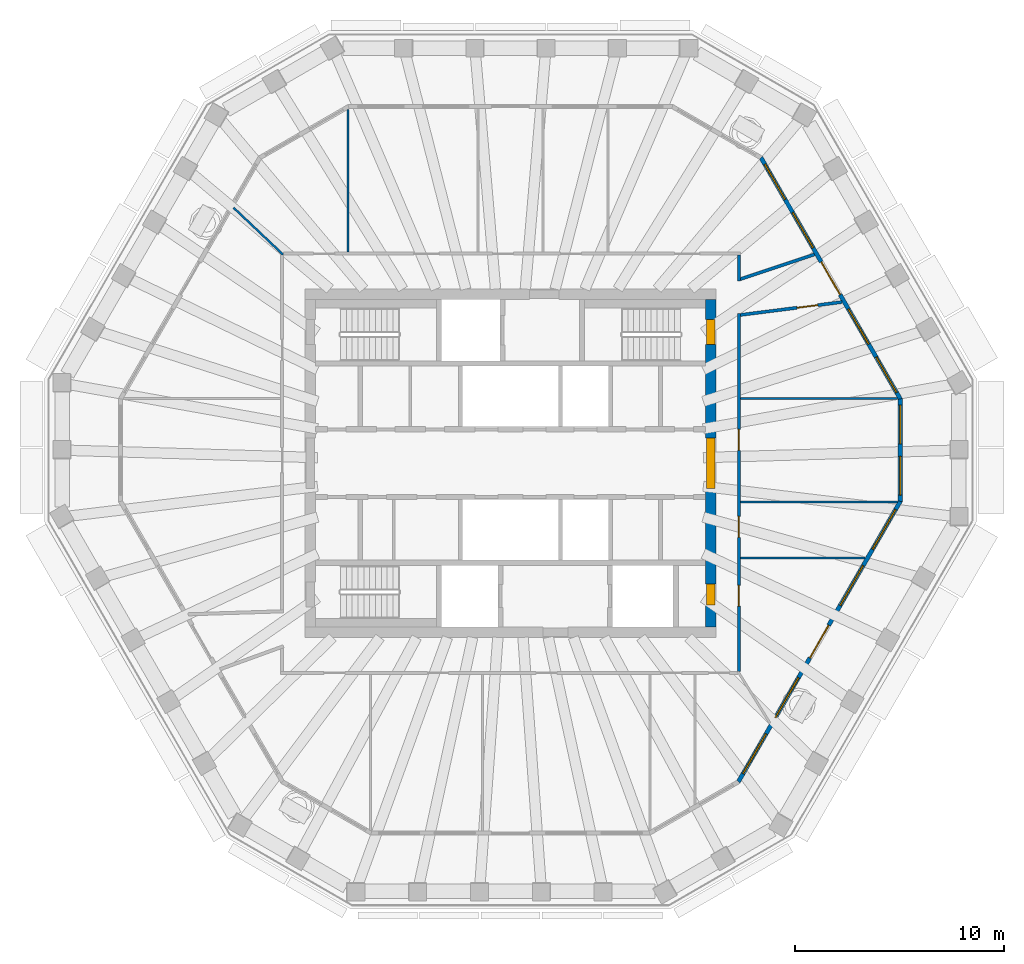
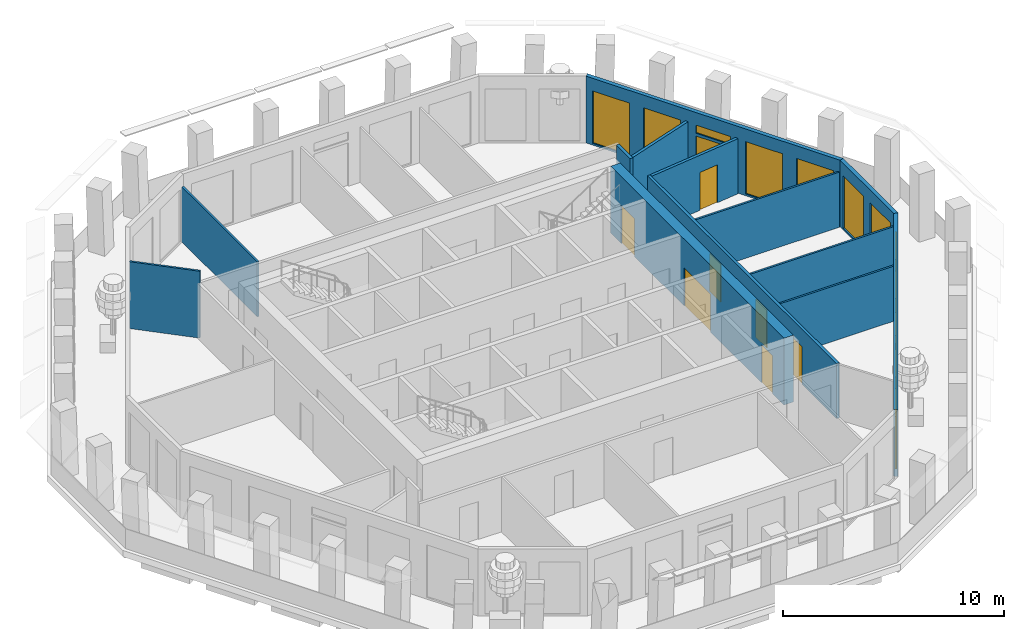
# One storey, part 6 of 11: 13 walls, 12 windows, 9 doors, 21 openings.
"""IFC4 building model written with IfcOpenShell, lengths in metres."""

from ifc_helpers import new_model, si_unit, direction, frame, frame_2d, origin, place, context, subcontext, project, spatial, polyline, rectangle, outline, extrude, material, layer, layer_set, type_object, element, fill, save


model = new_model("IFC4")

# Units and contexts
model_context = context("Model", 3, precision=1e-05, world=origin(), true_north=direction((0.0, 1.0)))
body_context = subcontext(model_context, "Body", "Model", "MODEL_VIEW")
ifc_project = project(units=[si_unit("LENGTHUNIT", "METRE"), si_unit("AREAUNIT", "SQUARE_METRE"), si_unit("VOLUMEUNIT", "CUBIC_METRE"), si_unit("PLANEANGLEUNIT", "RADIAN"), si_unit("MASSUNIT", "GRAM", prefix="KILO")], contexts=[model_context])

# Site, building, storey
site_placement = place(None, origin())
site = spatial("IfcSite", under=ifc_project, at=site_placement, CompositionType="ELEMENT")
building_placement = place(site_placement, origin())
building = spatial("IfcBuilding", under=site, at=building_placement, Name="Frailejon Research Tower", CompositionType="ELEMENT")
storey_placement = place(building_placement, frame((0.0, 0.0, 328.60009765625)))
storey = spatial("IfcBuildingStorey", under=building, at=storey_placement, Name="L73", CompositionType="ELEMENT", Elevation=328.60009765625)

# Wall, openings, doors
ifc_material_1 = material(Name="Concrete C50/60", Category="concrete")
ifc_layer_1 = layer(ifc_material_1, 0.5)
ifc_layer_set_1 = layer_set([ifc_layer_1], Name="Core shear wall 500 C50/60")
wall_type_1 = type_object("IfcWallType", Name="Core shear wall 500 C50/60", PredefinedType="SHEAR", material=ifc_layer_set_1)
wall_1_placement = place(storey_placement, frame((9.60009765625, -7.85009765625, 0.0), z_axis=(0.0, 0.0, 1.0), x_axis=(0.0, 1.0, 0.0)))
wall_1 = element("IfcWall", 1, at=wall_1_placement, inside=storey, type_object=wall_type_1, Name="Core shear wall", PredefinedType="SHEAR", context=body_context, shape_type="SweptSolid", body=[
    extrude(rectangle(XDim=15.7001953125, YDim=0.5, at=frame_2d((7.85009765625, 0.0))), origin(), (0.0, 0.0, 1.0), 3.699951171875),
])
opening_1_placement = place(wall_1_placement, frame((6.64990234375, 0.0, 0.0)))
opening_1 = element("IfcOpeningElement", 2, at=opening_1_placement, cuts=wall_1, Name="Opening D2", PredefinedType="OPENING", context=body_context, shape_type="SweptSolid", body=[
    extrude(rectangle(XDim=2.39990234375, YDim=2.10009765625, at=frame_2d((1.199951171875, 1.050048828125))), frame((0.0, 0.260009765625, 0.0), z_axis=(0.0, -1.0, 0.0), x_axis=(1.0, 0.0, 0.0)), (0.0, 0.0, 1.0), 0.52001953125),
])
opening_2_placement = place(wall_1_placement, frame((13.550048828125, 0.0, 0.0)))
opening_2 = element("IfcOpeningElement", 3, at=opening_2_placement, cuts=wall_1, Name="Opening D1", PredefinedType="OPENING", context=body_context, shape_type="SweptSolid", body=[
    extrude(rectangle(XDim=1.199951171875, YDim=2.10009765625, at=frame_2d((0.60009765625, 1.050048828125))), frame((0.0, 0.260009765625, 0.0), z_axis=(0.0, -1.0, 0.0), x_axis=(1.0, 0.0, 0.0)), (0.0, 0.0, 1.0), 0.52001953125),
])
opening_3_placement = place(wall_1_placement, frame((1.050048828125, 0.0, 0.0)))
opening_3 = element("IfcOpeningElement", 4, at=opening_3_placement, cuts=wall_1, Name="Opening D4", PredefinedType="OPENING", context=body_context, shape_type="SweptSolid", body=[
    extrude(rectangle(XDim=1.0, YDim=2.10009765625, at=frame_2d((0.5, 1.050048828125))), frame((0.0, 0.260009765625, 0.0), z_axis=(0.0, -1.0, 0.0), x_axis=(1.0, 0.0, 0.0)), (0.0, 0.0, 1.0), 0.52001953125),
])
ifc_material_2 = material(Name="Steel", Category="steel")
door_type_1 = type_object("IfcDoorType", Name="Lobby double door", OperationType="DOUBLE_DOOR_SINGLE_SWING", PredefinedType="DOOR", material=ifc_material_2)
door_1_placement = place(opening_1_placement, origin())
door_1 = element("IfcDoor", 5, at=door_1_placement, inside=storey, type_object=door_type_1, Name="Lobby door", OperationType="DOUBLE_DOOR_SINGLE_SWING", OverallHeight=2.10009765625, OverallWidth=2.39990234375, PredefinedType="DOOR", context=body_context, shape_type="SweptSolid", body=[
    extrude(rectangle(XDim=2.39990234375, YDim=2.10009765625, at=frame_2d((1.199951171875, 1.050048828125))), frame((0.0, 0.199951171875, 0.0), z_axis=(0.0, -1.0, 0.0), x_axis=(1.0, 0.0, 0.0)), (0.0, 0.0, 1.0), 0.39990234375),
])
fill(opening_1, door_1)
ifc_material_3 = material(Name="Steel", Category="steel")
door_type_2 = type_object("IfcDoorType", Name="Service door", OperationType="SINGLE_SWING_LEFT", PredefinedType="DOOR", material=ifc_material_3)
door_2_placement = place(opening_3_placement, origin())
door_2 = element("IfcDoor", 6, at=door_2_placement, inside=storey, type_object=door_type_2, Name="Riser door", OperationType="SINGLE_SWING_LEFT", OverallHeight=2.10009765625, OverallWidth=1.0, PredefinedType="DOOR", context=body_context, shape_type="SweptSolid", body=[
    extrude(rectangle(XDim=1.0, YDim=2.10009765625, at=frame_2d((0.5, 1.050048828125))), frame((0.0, 0.199951171875, 0.0), z_axis=(0.0, -1.0, 0.0), x_axis=(1.0, 0.0, 0.0)), (0.0, 0.0, 1.0), 0.39990234375),
])
fill(opening_3, door_2)
ifc_material_4 = material(Name="Steel", Category="steel")
door_type_3 = type_object("IfcDoorType", Name="Stair door", OperationType="SINGLE_SWING_LEFT", PredefinedType="DOOR", material=ifc_material_4)
door_3_placement = place(opening_2_placement, origin())
door_3 = element("IfcDoor", 7, at=door_3_placement, inside=storey, type_object=door_type_3, Name="Stair door ST3", OperationType="SINGLE_SWING_RIGHT", OverallHeight=2.10009765625, OverallWidth=1.199951171875, PredefinedType="DOOR", context=body_context, shape_type="SweptSolid", body=[
    extrude(rectangle(XDim=1.199951171875, YDim=2.10009765625, at=frame_2d((0.60009765625, 1.050048828125))), frame((0.0, 0.199951171875, 0.0), z_axis=(0.0, -1.0, 0.0), x_axis=(1.0, 0.0, 0.0)), (0.0, 0.0, 1.0), 0.39990234375),
])
fill(opening_2, door_3)

# Wall, opening, door
ifc_material_5 = material(Name="Gypsum board and masonry partition", Category="masonry")
ifc_layer_2 = layer(ifc_material_5, 0.14990234375)
ifc_layer_set_2 = layer_set([ifc_layer_2], Name="Corridor wall EI 60, gypsum on steel studs 150")
wall_type_2 = type_object("IfcWallType", Name="Corridor wall EI 60, gypsum on steel studs 150", PredefinedType="PARTITIONING", material=ifc_layer_set_2)
wall_2_placement = place(storey_placement, frame((11.0244140625, 7.109375, 0.0), z_axis=(0.0, 0.0, 1.0), x_axis=(0.992072253701, 0.125668784656, 0.0)))
wall_2 = element("IfcWall", 8, at=wall_2_placement, inside=storey, type_object=wall_type_2, Name="T:IW:L73:001", PredefinedType="PARTITIONING", context=body_context, shape_type="SweptSolid", body=[
    extrude(rectangle(XDim=4.9091796875, YDim=0.14990234375, at=frame_2d((2.45458984375, 0.0))), origin(), (0.0, 0.0, 1.0), 3.0498046875),
])
opening_4_placement = place(wall_2_placement, frame((2.73828125, 0.0, 0.0)))
opening_4 = element("IfcOpeningElement", 9, at=opening_4_placement, cuts=wall_2, Name="Opening D2365", PredefinedType="OPENING", context=body_context, shape_type="SweptSolid", body=[
    extrude(rectangle(XDim=1.0, YDim=2.10009765625, at=frame_2d((0.5, 1.050048828125))), frame((0.0, 0.0849609375, 0.0), z_axis=(0.0, -1.0, 0.0), x_axis=(1.0, 0.0, 0.0)), (0.0, 0.0, 1.0), 0.169921875),
])
ifc_material_6 = material(Name="Timber door leaf", Category="wood")
door_type_4 = type_object("IfcDoorType", Name="Door single leaf, timber, steel frame 1000", OperationType="NOTDEFINED", PredefinedType="DOOR", material=ifc_material_6)
door_4_placement = place(opening_4_placement, origin())
door_4 = element("IfcDoor", 10, at=door_4_placement, inside=storey, type_object=door_type_4, Name="D2365", OperationType="SINGLE_SWING_RIGHT", OverallHeight=2.10009765625, OverallWidth=1.0, PredefinedType="DOOR", context=body_context, shape_type="SweptSolid", body=[
    extrude(rectangle(XDim=1.0, YDim=2.10009765625, at=frame_2d((0.5, 1.050048828125))), frame((0.0, 0.02490234375, 0.0), z_axis=(0.0, -1.0, 0.0), x_axis=(1.0, 0.0, 0.0)), (0.0, 0.0, 1.0), 0.050048828125),
])
fill(opening_4, door_4)

# Wall
wall_3_placement = place(storey_placement, frame((11.02099609375, 8.82373046875, 0.0), z_axis=(0.0, 0.0, 1.0), x_axis=(0.948565981172, 0.316579499279, 0.0)))
element("IfcWall", 11, at=wall_3_placement, inside=storey, type_object=wall_type_2, Name="T:IW:L73:002", PredefinedType="PARTITIONING", context=body_context, shape_type="SweptSolid", body=[
    extrude(rectangle(XDim=3.748046875, YDim=0.14990234375, at=frame_2d((1.8740234375, 0.0))), origin(), (0.0, 0.0, 1.0), 3.0498046875),
])

# Wall, openings, doors
wall_4_placement = place(storey_placement, frame((10.949951171875, -9.97509765625, 0.0), z_axis=(0.0, 0.0, 1.0), x_axis=(0.0, 1.0, 0.0)))
wall_4 = element("IfcWall", 12, at=wall_4_placement, inside=storey, type_object=wall_type_2, Name="T:IW:L73:003", PredefinedType="PARTITIONING", context=body_context, shape_type="SweptSolid", body=[
    extrude(rectangle(XDim=17.150146484375, YDim=0.14990234375, at=frame_2d((8.5751953125, 0.0))), origin(), (0.0, 0.0, 1.0), 3.0498046875),
])
opening_5_placement = place(wall_4_placement, frame((10.59326171875, 0.0, 0.0)))
opening_5 = element("IfcOpeningElement", 13, at=opening_5_placement, cuts=wall_4, Name="Opening D2364", PredefinedType="OPENING", context=body_context, shape_type="SweptSolid", body=[
    extrude(rectangle(XDim=1.0, YDim=2.10009765625, at=frame_2d((0.5, 1.050048828125))), frame((0.0, 0.0849609375, 0.0), z_axis=(0.0, -1.0, 0.0), x_axis=(1.0, 0.0, 0.0)), (0.0, 0.0, 1.0), 0.169921875),
])
opening_6_placement = place(wall_4_placement, frame((3.123291015625, 0.0, 0.0)))
opening_6 = element("IfcOpeningElement", 14, at=opening_6_placement, cuts=wall_4, Name="Opening D2378", PredefinedType="OPENING", context=body_context, shape_type="SweptSolid", body=[
    extrude(rectangle(XDim=1.0, YDim=2.10009765625, at=frame_2d((0.5, 1.050048828125))), frame((0.0, 0.0849609375, 0.0), z_axis=(0.0, -1.0, 0.0), x_axis=(1.0, 0.0, 0.0)), (0.0, 0.0, 1.0), 0.169921875),
])
opening_7_placement = place(wall_4_placement, frame((6.42138671875, 0.0, 0.0)))
opening_7 = element("IfcOpeningElement", 15, at=opening_7_placement, cuts=wall_4, Name="Opening D2379", PredefinedType="OPENING", context=body_context, shape_type="SweptSolid", body=[
    extrude(rectangle(XDim=1.0, YDim=2.10009765625, at=frame_2d((0.5, 1.050048828125))), frame((0.0, 0.0849609375, 0.0), z_axis=(0.0, -1.0, 0.0), x_axis=(1.0, 0.0, 0.0)), (0.0, 0.0, 1.0), 0.169921875),
])
door_5_placement = place(opening_5_placement, origin())
door_5 = element("IfcDoor", 16, at=door_5_placement, inside=storey, type_object=door_type_4, Name="D2364", OperationType="SINGLE_SWING_RIGHT", OverallHeight=2.10009765625, OverallWidth=1.0, PredefinedType="DOOR", context=body_context, shape_type="SweptSolid", body=[
    extrude(rectangle(XDim=1.0, YDim=2.10009765625, at=frame_2d((0.5, 1.050048828125))), frame((0.0, 0.02490234375, 0.0), z_axis=(0.0, -1.0, 0.0), x_axis=(1.0, 0.0, 0.0)), (0.0, 0.0, 1.0), 0.050048828125),
])
fill(opening_5, door_5)
door_6_placement = place(opening_6_placement, origin())
door_6 = element("IfcDoor", 17, at=door_6_placement, inside=storey, type_object=door_type_4, Name="D2378", OperationType="SINGLE_SWING_RIGHT", OverallHeight=2.10009765625, OverallWidth=1.0, PredefinedType="DOOR", context=body_context, shape_type="SweptSolid", body=[
    extrude(rectangle(XDim=1.0, YDim=2.10009765625, at=frame_2d((0.5, 1.050048828125))), frame((0.0, 0.02490234375, 0.0), z_axis=(0.0, -1.0, 0.0), x_axis=(1.0, 0.0, 0.0)), (0.0, 0.0, 1.0), 0.050048828125),
])
fill(opening_6, door_6)
door_7_placement = place(opening_7_placement, origin())
door_7 = element("IfcDoor", 18, at=door_7_placement, inside=storey, type_object=door_type_4, Name="D2379", OperationType="SINGLE_SWING_LEFT", OverallHeight=2.10009765625, OverallWidth=1.0, PredefinedType="DOOR", context=body_context, shape_type="SweptSolid", body=[
    extrude(rectangle(XDim=1.0, YDim=2.10009765625, at=frame_2d((0.5, 1.050048828125))), frame((0.0, 0.02490234375, 0.0), z_axis=(0.0, -1.0, 0.0), x_axis=(1.0, 0.0, 0.0)), (0.0, 0.0, 1.0), 0.050048828125),
])
fill(opening_7, door_7)

# Walls
wall_5_placement = place(storey_placement, frame((10.949951171875, 8.72509765625, 0.0), z_axis=(0.0, 0.0, 1.0), x_axis=(0.0, 1.0, 0.0)))
element("IfcWall", 19, at=wall_5_placement, inside=storey, type_object=wall_type_2, Name="T:IW:L73:004", PredefinedType="PARTITIONING", context=body_context, shape_type="SweptSolid", body=[
    extrude(rectangle(XDim=1.25, YDim=0.14990234375, at=frame_2d((0.625, 0.0))), origin(), (0.0, 0.0, 1.0), 3.0498046875),
])
ifc_material_7 = material(Name="Gypsum board and masonry partition", Category="masonry")
ifc_layer_3 = layer(ifc_material_7, 0.10009765625)
ifc_layer_set_3 = layer_set([ifc_layer_3], Name="Partition, gypsum on steel studs 100")
wall_type_3 = type_object("IfcWallType", Name="Partition, gypsum on steel studs 100", PredefinedType="PARTITIONING", material=ifc_layer_set_3)
for number, where, z_axis, x_axis, name in (
    (20, (11.02490234375, 3.111083984375, 0.0), (0.0, 0.0, 1.0), (1.0, 0.0, 0.0), "T:IW:L73:012"),
    (21, (11.02490234375, -1.85400390625, 0.0), (0.0, 0.0, 1.0), (1.0, 0.0, 0.0), "T:IW:L73:013"),
):
    element("IfcWall", number, at=place(storey_placement, frame(where, z_axis=z_axis, x_axis=x_axis)), inside=storey, type_object=wall_type_3, Name=name, PredefinedType="PARTITIONING", context=body_context, shape_type="SweptSolid", body=[
        extrude(rectangle(XDim=7.53466796875, YDim=0.10009765625, at=frame_2d((3.767333984375, 0.0))), origin(), (0.0, 0.0, 1.0), 3.0498046875),
    ])
wall_6_placement = place(storey_placement, frame((-7.78955078125, 10.125, 0.0), z_axis=(0.0, 0.0, 1.0), x_axis=(0.0, 1.0, 0.0)))
element("IfcWall", 22, at=wall_6_placement, inside=storey, type_object=wall_type_3, Name="T:IW:L73:017", PredefinedType="PARTITIONING", context=body_context, shape_type="SweptSolid", body=[
    extrude(rectangle(XDim=6.843994140625, YDim=0.10009765625, at=frame_2d((3.421875, 0.0))), origin(), (0.0, 0.0, 1.0), 3.0498046875),
])
wall_7_placement = place(storey_placement, frame((-13.2802734375, 12.2548828125, 0.0), z_axis=(0.0, 0.0, 1.0), x_axis=(0.726394162709, -0.687278342727, 0.0)))
element("IfcWall", 23, at=wall_7_placement, inside=storey, type_object=wall_type_3, Name="T:IW:L73:018", PredefinedType="PARTITIONING", context=body_context, shape_type="SweptSolid", body=[
    extrude(rectangle(XDim=3.282958984375, YDim=0.10009765625, at=frame_2d((1.6416015625, 0.0))), origin(), (0.0, 0.0, 1.0), 3.699951171875),
])
wall_8_placement = place(storey_placement, frame((11.02490234375, -4.552490234375, 0.0), z_axis=(0.0, 0.0, 1.0), x_axis=(1.0, 0.0, 0.0)))
element("IfcWall", 24, at=wall_8_placement, inside=storey, type_object=wall_type_3, Name="T:IW:L73:024", PredefinedType="PARTITIONING", context=body_context, shape_type="SweptSolid", body=[
    extrude(rectangle(XDim=5.976806640625, YDim=0.10009765625, at=frame_2d((2.98828125, 0.0))), origin(), (0.0, 0.0, 1.0), 3.0498046875),
])

# Wall, openings, windows
ifc_material_8 = material(Name="Concrete C40/50 precast window wall panel", Category="concrete")
ifc_layer_4 = layer(ifc_material_8, 0.199951171875)
ifc_layer_set_4 = layer_set([ifc_layer_4], Name="Window wall 200")
wall_type_4 = type_object("IfcWallType", Name="Window wall 200", PredefinedType="SOLIDWALL", material=ifc_layer_set_4)
wall_9_placement = place(storey_placement, frame((18.6904296875, -1.827392578125, 0.0), z_axis=(0.0, 0.0, 1.0), x_axis=(0.0, 1.0, 0.0)))
wall_9 = element("IfcWall", 25, at=wall_9_placement, inside=storey, type_object=wall_type_4, Name="Exterior wall L73", PredefinedType="SOLIDWALL", context=body_context, shape_type="SweptSolid", body=[
    extrude(outline(polyline([(-0.02685546875, -0.10009765625), (1.21435546875, -0.10009765625), (2.455810546875, -0.10009765625), (3.697265625, -0.10009765625), (4.9384765625, -0.10009765625), (4.884765625, 0.10009765625), (3.67041015625, 0.10009765625), (2.455810546875, 0.10009765625), (1.2412109375, 0.10009765625), (0.02685546875, 0.10009765625), (-0.02685546875, -0.10009765625)])), origin(), (0.0, 0.0, 1.0), 3.699951171875),
])
opening_8_placement = place(wall_9_placement, frame((0.302978515625, 0.0, 0.10009765625)))
opening_8 = element("IfcOpeningElement", 26, at=opening_8_placement, cuts=wall_9, Name="Opening W26", PredefinedType="OPENING", context=body_context, shape_type="SweptSolid", body=[
    extrude(rectangle(XDim=1.85009765625, YDim=2.89990234375, at=frame_2d((0.925048828125, 1.449951171875))), frame((0.0, 0.10986328125, 0.0), z_axis=(0.0, -1.0, 0.0), x_axis=(1.0, 0.0, 0.0)), (0.0, 0.0, 1.0), 0.219970703125),
])
opening_9_placement = place(wall_9_placement, frame((2.7587890625, 0.0, 0.10009765625)))
opening_9 = element("IfcOpeningElement", 27, at=opening_9_placement, cuts=wall_9, Name="Opening W26", PredefinedType="OPENING", context=body_context, shape_type="SweptSolid", body=[
    extrude(rectangle(XDim=1.85009765625, YDim=2.89990234375, at=frame_2d((0.925048828125, 1.449951171875))), frame((0.0, 0.10986328125, 0.0), z_axis=(0.0, -1.0, 0.0), x_axis=(1.0, 0.0, 0.0)), (0.0, 0.0, 1.0), 0.219970703125),
])
ifc_material_9 = material(Name="Aluminium framed double glazing", Category="aluminium")
window_type_1 = type_object("IfcWindowType", Name="Window 1850x2900", PartitioningType="SINGLE_PANEL", PredefinedType="WINDOW", material=ifc_material_9)
window_1_placement = place(opening_8_placement, origin())
window_1 = element("IfcWindow", 28, at=window_1_placement, inside=storey, type_object=window_type_1, Name="Window L73", OverallHeight=2.89990234375, OverallWidth=1.85009765625, PartitioningType="SINGLE_PANEL", PredefinedType="WINDOW", context=body_context, shape_type="SweptSolid", body=[
    extrude(rectangle(XDim=1.85009765625, YDim=2.89990234375, at=frame_2d((0.925048828125, 1.449951171875))), frame((0.0, 0.030029296875, 0.0), z_axis=(0.0, -1.0, 0.0), x_axis=(1.0, 0.0, 0.0)), (0.0, 0.0, 1.0), 0.06005859375),
])
fill(opening_8, window_1)
window_2_placement = place(opening_9_placement, origin())
window_2 = element("IfcWindow", 29, at=window_2_placement, inside=storey, type_object=window_type_1, Name="Window L73", OverallHeight=2.89990234375, OverallWidth=1.85009765625, PartitioningType="SINGLE_PANEL", PredefinedType="WINDOW", context=body_context, shape_type="SweptSolid", body=[
    extrude(rectangle(XDim=1.85009765625, YDim=2.89990234375, at=frame_2d((0.925048828125, 1.449951171875))), frame((0.0, 0.030029296875, 0.0), z_axis=(0.0, -1.0, 0.0), x_axis=(1.0, 0.0, 0.0)), (0.0, 0.0, 1.0), 0.06005859375),
])
fill(opening_9, window_2)

# Wall, openings, door, windows
wall_10_placement = place(storey_placement, frame((18.6904296875, 3.084228515625, 0.0), z_axis=(0.0, 0.0, 1.0), x_axis=(-0.499992657759, 0.866029642788, 0.0)))
wall_10 = element("IfcWall", 30, at=wall_10_placement, inside=storey, type_object=wall_type_4, Name="Exterior wall L73", PredefinedType="SOLIDWALL", context=body_context, shape_type="SweptSolid", body=[
    extrude(outline(polyline([(-0.02685546875, -0.10009765625), (1.004150390625, -0.10009765625), (2.034912109375, -0.10009765625), (3.06591796875, -0.10009765625), (4.096923828125, -0.10009765625), (5.127685546875, -0.10009765625), (6.15869140625, -0.10009765625), (7.189697265625, -0.10009765625), (8.220703125, -0.10009765625), (9.25146484375, -0.10009765625), (10.282470703125, -0.10009765625), (11.3134765625, -0.10009765625), (12.34423828125, -0.10009765625), (13.375244140625, -0.10009765625), (13.321533203125, 0.10009765625), (12.298828125, 0.10009765625), (11.276123046875, 0.10009765625), (10.25341796875, 0.10009765625), (9.23095703125, 0.10009765625), (8.208251953125, 0.10009765625), (7.185546875, 0.10009765625), (6.162841796875, 0.10009765625), (5.14013671875, 0.10009765625), (4.117431640625, 0.10009765625), (3.094970703125, 0.10009765625), (2.072265625, 0.10009765625), (1.049560546875, 0.10009765625), (0.02685546875, 0.10009765625), (-0.02685546875, -0.10009765625)])), origin(), (0.0, 0.0, 1.0), 3.699951171875),
])
opening_10_placement = place(wall_10_placement, frame((0.35986328125, 0.0, 0.10009765625)))
opening_10 = element("IfcOpeningElement", 31, at=opening_10_placement, cuts=wall_10, Name="Opening W27", PredefinedType="OPENING", context=body_context, shape_type="SweptSolid", body=[
    extrude(rectangle(XDim=1.949951171875, YDim=2.89990234375, at=frame_2d((0.97509765625, 1.449951171875))), frame((0.0, 0.10986328125, 0.0), z_axis=(0.0, -1.0, 0.0), x_axis=(1.0, 0.0, 0.0)), (0.0, 0.0, 1.0), 0.219970703125),
])
opening_11_placement = place(wall_10_placement, frame((3.029541015625, 0.0, 0.10009765625)))
opening_11 = element("IfcOpeningElement", 32, at=opening_11_placement, cuts=wall_10, Name="Opening W27", PredefinedType="OPENING", context=body_context, shape_type="SweptSolid", body=[
    extrude(rectangle(XDim=1.949951171875, YDim=2.89990234375, at=frame_2d((0.97509765625, 1.449951171875))), frame((0.0, 0.10986328125, 0.0), z_axis=(0.0, -1.0, 0.0), x_axis=(1.0, 0.0, 0.0)), (0.0, 0.0, 1.0), 0.219970703125),
])
opening_12_placement = place(wall_10_placement, frame((5.774169921875, 0.0, 0.0)))
opening_12 = element("IfcOpeningElement", 33, at=opening_12_placement, cuts=wall_10, Name="Opening LG73-1", PredefinedType="OPENING", context=body_context, shape_type="SweptSolid", body=[
    extrude(rectangle(XDim=1.800048828125, YDim=2.39990234375, at=frame_2d((0.89990234375, 1.199951171875))), frame((0.0, 0.10986328125, 0.0), z_axis=(0.0, -1.0, 0.0), x_axis=(1.0, 0.0, 0.0)), (0.0, 0.0, 1.0), 0.219970703125),
])
opening_13_placement = place(wall_10_placement, frame((5.774169921875, 0.0, 2.550048828125)))
opening_13 = element("IfcOpeningElement", 34, at=opening_13_placement, cuts=wall_10, Name="Opening W1", PredefinedType="OPENING", context=body_context, shape_type="SweptSolid", body=[
    extrude(rectangle(XDim=1.800048828125, YDim=0.449951171875, at=frame_2d((0.89990234375, 0.22509765625))), frame((0.0, 0.10986328125, 0.0), z_axis=(0.0, -1.0, 0.0), x_axis=(1.0, 0.0, 0.0)), (0.0, 0.0, 1.0), 0.219970703125),
])
opening_14_placement = place(wall_10_placement, frame((8.36865234375, 0.0, 0.10009765625)))
opening_14 = element("IfcOpeningElement", 35, at=opening_14_placement, cuts=wall_10, Name="Opening W27", PredefinedType="OPENING", context=body_context, shape_type="SweptSolid", body=[
    extrude(rectangle(XDim=1.949951171875, YDim=2.89990234375, at=frame_2d((0.97509765625, 1.449951171875))), frame((0.0, 0.10986328125, 0.0), z_axis=(0.0, -1.0, 0.0), x_axis=(1.0, 0.0, 0.0)), (0.0, 0.0, 1.0), 0.219970703125),
])
opening_15_placement = place(wall_10_placement, frame((11.038330078125, 0.0, 0.10009765625)))
opening_15 = element("IfcOpeningElement", 36, at=opening_15_placement, cuts=wall_10, Name="Opening W27", PredefinedType="OPENING", context=body_context, shape_type="SweptSolid", body=[
    extrude(rectangle(XDim=1.949951171875, YDim=2.89990234375, at=frame_2d((0.97509765625, 1.449951171875))), frame((0.0, 0.10986328125, 0.0), z_axis=(0.0, -1.0, 0.0), x_axis=(1.0, 0.0, 0.0)), (0.0, 0.0, 1.0), 0.219970703125),
])
ifc_material_10 = material(Name="Aluminium framed glazed door leaf", Category="aluminium")
door_type_5 = type_object("IfcDoorType", Name="Loggia door 1800x2400", OperationType="DOUBLE_DOOR_SINGLE_SWING", PredefinedType="DOOR", material=ifc_material_10)
door_8_placement = place(opening_12_placement, origin())
door_8 = element("IfcDoor", 37, at=door_8_placement, inside=storey, type_object=door_type_5, Name="Door LG73-1", OperationType="DOUBLE_DOOR_SINGLE_SWING", OverallHeight=2.39990234375, OverallWidth=1.800048828125, PredefinedType="DOOR", context=body_context, shape_type="SweptSolid", body=[
    extrude(rectangle(XDim=1.800048828125, YDim=2.39990234375, at=frame_2d((0.89990234375, 1.199951171875))), frame((0.0, 0.02490234375, 0.0), z_axis=(0.0, -1.0, 0.0), x_axis=(1.0, 0.0, 0.0)), (0.0, 0.0, 1.0), 0.050048828125),
])
fill(opening_12, door_8)
ifc_material_11 = material(Name="Aluminium framed double glazing", Category="aluminium")
window_type_2 = type_object("IfcWindowType", Name="Window 1800x450", PartitioningType="SINGLE_PANEL", PredefinedType="WINDOW", material=ifc_material_11)
window_3_placement = place(opening_13_placement, origin())
window_3 = element("IfcWindow", 38, at=window_3_placement, inside=storey, type_object=window_type_2, Name="Window L73", OverallHeight=0.449951171875, OverallWidth=1.800048828125, PartitioningType="SINGLE_PANEL", PredefinedType="WINDOW", context=body_context, shape_type="SweptSolid", body=[
    extrude(rectangle(XDim=1.800048828125, YDim=0.449951171875, at=frame_2d((0.89990234375, 0.22509765625))), frame((0.0, 0.030029296875, 0.0), z_axis=(0.0, -1.0, 0.0), x_axis=(1.0, 0.0, 0.0)), (0.0, 0.0, 1.0), 0.06005859375),
])
fill(opening_13, window_3)
ifc_material_12 = material(Name="Aluminium framed double glazing", Category="aluminium")
window_type_3 = type_object("IfcWindowType", Name="Window 1950x2900", PartitioningType="SINGLE_PANEL", PredefinedType="WINDOW", material=ifc_material_12)
window_4_placement = place(opening_10_placement, origin())
window_4 = element("IfcWindow", 39, at=window_4_placement, inside=storey, type_object=window_type_3, Name="Window L73", OverallHeight=2.89990234375, OverallWidth=1.949951171875, PartitioningType="SINGLE_PANEL", PredefinedType="WINDOW", context=body_context, shape_type="SweptSolid", body=[
    extrude(rectangle(XDim=1.949951171875, YDim=2.89990234375, at=frame_2d((0.97509765625, 1.449951171875))), frame((0.0, 0.030029296875, 0.0), z_axis=(0.0, -1.0, 0.0), x_axis=(1.0, 0.0, 0.0)), (0.0, 0.0, 1.0), 0.06005859375),
])
fill(opening_10, window_4)
window_5_placement = place(opening_11_placement, origin())
window_5 = element("IfcWindow", 40, at=window_5_placement, inside=storey, type_object=window_type_3, Name="Window L73", OverallHeight=2.89990234375, OverallWidth=1.949951171875, PartitioningType="SINGLE_PANEL", PredefinedType="WINDOW", context=body_context, shape_type="SweptSolid", body=[
    extrude(rectangle(XDim=1.949951171875, YDim=2.89990234375, at=frame_2d((0.97509765625, 1.449951171875))), frame((0.0, 0.030029296875, 0.0), z_axis=(0.0, -1.0, 0.0), x_axis=(1.0, 0.0, 0.0)), (0.0, 0.0, 1.0), 0.06005859375),
])
fill(opening_11, window_5)
window_6_placement = place(opening_14_placement, origin())
window_6 = element("IfcWindow", 41, at=window_6_placement, inside=storey, type_object=window_type_3, Name="Window L73", OverallHeight=2.89990234375, OverallWidth=1.949951171875, PartitioningType="SINGLE_PANEL", PredefinedType="WINDOW", context=body_context, shape_type="SweptSolid", body=[
    extrude(rectangle(XDim=1.949951171875, YDim=2.89990234375, at=frame_2d((0.97509765625, 1.449951171875))), frame((0.0, 0.030029296875, 0.0), z_axis=(0.0, -1.0, 0.0), x_axis=(1.0, 0.0, 0.0)), (0.0, 0.0, 1.0), 0.06005859375),
])
fill(opening_14, window_6)
window_7_placement = place(opening_15_placement, origin())
window_7 = element("IfcWindow", 42, at=window_7_placement, inside=storey, type_object=window_type_3, Name="Window L73", OverallHeight=2.89990234375, OverallWidth=1.949951171875, PartitioningType="SINGLE_PANEL", PredefinedType="WINDOW", context=body_context, shape_type="SweptSolid", body=[
    extrude(rectangle(XDim=1.949951171875, YDim=2.89990234375, at=frame_2d((0.97509765625, 1.449951171875))), frame((0.0, 0.030029296875, 0.0), z_axis=(0.0, -1.0, 0.0), x_axis=(1.0, 0.0, 0.0)), (0.0, 0.0, 1.0), 0.06005859375),
])
fill(opening_15, window_7)

wall_11_placement = place(storey_placement, frame((10.927734375, -15.272705078125, 0.0), z_axis=(0.0, 0.0, 1.0), x_axis=(0.500001957507, 0.866024273614, 0.0)))
wall_11 = element("IfcWall", 43, at=wall_11_placement, inside=storey, type_object=wall_type_4, Name="Exterior wall L73", PredefinedType="SOLIDWALL", context=body_context, shape_type="SweptSolid", body=[
    extrude(outline(polyline([(-0.02685546875, -0.10009765625), (1.01171875, -0.10009765625), (2.05029296875, -0.10009765625), (3.0888671875, -0.10009765625), (4.127685546875, -0.10009765625), (5.166259765625, -0.10009765625), (6.204833984375, -0.10009765625), (7.243408203125, -0.10009765625), (8.281982421875, -0.10009765625), (9.320556640625, -0.10009765625), (10.359130859375, -0.10009765625), (11.397705078125, -0.10009765625), (12.4365234375, -0.10009765625), (13.47509765625, -0.10009765625), (14.513671875, -0.10009765625), (15.55224609375, -0.10009765625), (15.49853515625, 0.10009765625), (14.467041015625, 0.10009765625), (13.435546875, 0.10009765625), (12.404296875, 0.10009765625), (11.372802734375, 0.10009765625), (10.34130859375, 0.10009765625), (9.309814453125, 0.10009765625), (8.2783203125, 0.10009765625), (7.2470703125, 0.10009765625), (6.215576171875, 0.10009765625), (5.18408203125, 0.10009765625), (4.152587890625, 0.10009765625), (3.12109375, 0.10009765625), (2.08984375, 0.10009765625), (1.058349609375, 0.10009765625), (0.02685546875, 0.10009765625), (-0.02685546875, -0.10009765625)])), origin(), (0.0, 0.0, 1.0), 3.699951171875),
])
opening_16_placement = place(wall_11_placement, frame((0.452392578125, 0.0, 0.10009765625)))
opening_16 = element("IfcOpeningElement", 44, at=opening_16_placement, cuts=wall_11, Name="Opening W28", PredefinedType="OPENING", context=body_context, shape_type="SweptSolid", body=[
    extrude(rectangle(XDim=2.199951171875, YDim=2.89990234375, at=frame_2d((1.10009765625, 1.449951171875))), frame((0.0, 0.10986328125, 0.0), z_axis=(0.0, -1.0, 0.0), x_axis=(1.0, 0.0, 0.0)), (0.0, 0.0, 1.0), 0.219970703125),
])
opening_17_placement = place(wall_11_placement, frame((3.5576171875, 0.0, 0.10009765625)))
opening_17 = element("IfcOpeningElement", 45, at=opening_17_placement, cuts=wall_11, Name="Opening W28", PredefinedType="OPENING", context=body_context, shape_type="SweptSolid", body=[
    extrude(rectangle(XDim=2.199951171875, YDim=2.89990234375, at=frame_2d((1.10009765625, 1.449951171875))), frame((0.0, 0.10986328125, 0.0), z_axis=(0.0, -1.0, 0.0), x_axis=(1.0, 0.0, 0.0)), (0.0, 0.0, 1.0), 0.219970703125),
])
opening_18_placement = place(wall_11_placement, frame((6.86279296875, 0.0, 0.0)))
opening_18 = element("IfcOpeningElement", 46, at=opening_18_placement, cuts=wall_11, Name="Opening LG73-6", PredefinedType="OPENING", context=body_context, shape_type="SweptSolid", body=[
    extrude(rectangle(XDim=1.800048828125, YDim=2.39990234375, at=frame_2d((0.89990234375, 1.199951171875))), frame((0.0, 0.10986328125, 0.0), z_axis=(0.0, -1.0, 0.0), x_axis=(1.0, 0.0, 0.0)), (0.0, 0.0, 1.0), 0.219970703125),
])
opening_19_placement = place(wall_11_placement, frame((6.86279296875, 0.0, 2.550048828125)))
opening_19 = element("IfcOpeningElement", 47, at=opening_19_placement, cuts=wall_11, Name="Opening W1", PredefinedType="OPENING", context=body_context, shape_type="SweptSolid", body=[
    extrude(rectangle(XDim=1.800048828125, YDim=0.449951171875, at=frame_2d((0.89990234375, 0.22509765625))), frame((0.0, 0.10986328125, 0.0), z_axis=(0.0, -1.0, 0.0), x_axis=(1.0, 0.0, 0.0)), (0.0, 0.0, 1.0), 0.219970703125),
])
opening_20_placement = place(wall_11_placement, frame((9.767822265625, 0.0, 0.10009765625)))
opening_20 = element("IfcOpeningElement", 48, at=opening_20_placement, cuts=wall_11, Name="Opening W28", PredefinedType="OPENING", context=body_context, shape_type="SweptSolid", body=[
    extrude(rectangle(XDim=2.199951171875, YDim=2.89990234375, at=frame_2d((1.10009765625, 1.449951171875))), frame((0.0, 0.10986328125, 0.0), z_axis=(0.0, -1.0, 0.0), x_axis=(1.0, 0.0, 0.0)), (0.0, 0.0, 1.0), 0.219970703125),
])
opening_21_placement = place(wall_11_placement, frame((12.872802734375, 0.0, 0.10009765625)))
opening_21 = element("IfcOpeningElement", 49, at=opening_21_placement, cuts=wall_11, Name="Opening W28", PredefinedType="OPENING", context=body_context, shape_type="SweptSolid", body=[
    extrude(rectangle(XDim=2.199951171875, YDim=2.89990234375, at=frame_2d((1.10009765625, 1.449951171875))), frame((0.0, 0.10986328125, 0.0), z_axis=(0.0, -1.0, 0.0), x_axis=(1.0, 0.0, 0.0)), (0.0, 0.0, 1.0), 0.219970703125),
])
door_9_placement = place(opening_18_placement, origin())
door_9 = element("IfcDoor", 50, at=door_9_placement, inside=storey, type_object=door_type_5, Name="Door LG73-6", OperationType="DOUBLE_DOOR_SINGLE_SWING", OverallHeight=2.39990234375, OverallWidth=1.800048828125, PredefinedType="DOOR", context=body_context, shape_type="SweptSolid", body=[
    extrude(rectangle(XDim=1.800048828125, YDim=2.39990234375, at=frame_2d((0.89990234375, 1.199951171875))), frame((0.0, 0.02490234375, 0.0), z_axis=(0.0, -1.0, 0.0), x_axis=(1.0, 0.0, 0.0)), (0.0, 0.0, 1.0), 0.050048828125),
])
fill(opening_18, door_9)
window_8_placement = place(opening_19_placement, origin())
window_8 = element("IfcWindow", 51, at=window_8_placement, inside=storey, type_object=window_type_2, Name="Window L73", OverallHeight=0.449951171875, OverallWidth=1.800048828125, PartitioningType="SINGLE_PANEL", PredefinedType="WINDOW", context=body_context, shape_type="SweptSolid", body=[
    extrude(rectangle(XDim=1.800048828125, YDim=0.449951171875, at=frame_2d((0.89990234375, 0.22509765625))), frame((0.0, 0.030029296875, 0.0), z_axis=(0.0, -1.0, 0.0), x_axis=(1.0, 0.0, 0.0)), (0.0, 0.0, 1.0), 0.06005859375),
])
fill(opening_19, window_8)
ifc_material_13 = material(Name="Aluminium framed double glazing", Category="aluminium")
window_type_4 = type_object("IfcWindowType", Name="Window 2200x2900", PartitioningType="SINGLE_PANEL", PredefinedType="WINDOW", material=ifc_material_13)
window_9_placement = place(opening_16_placement, origin())
window_9 = element("IfcWindow", 52, at=window_9_placement, inside=storey, type_object=window_type_4, Name="Window L73", OverallHeight=2.89990234375, OverallWidth=2.199951171875, PartitioningType="SINGLE_PANEL", PredefinedType="WINDOW", context=body_context, shape_type="SweptSolid", body=[
    extrude(rectangle(XDim=2.199951171875, YDim=2.89990234375, at=frame_2d((1.10009765625, 1.449951171875))), frame((0.0, 0.030029296875, 0.0), z_axis=(0.0, -1.0, 0.0), x_axis=(1.0, 0.0, 0.0)), (0.0, 0.0, 1.0), 0.06005859375),
])
fill(opening_16, window_9)
window_10_placement = place(opening_17_placement, origin())
window_10 = element("IfcWindow", 53, at=window_10_placement, inside=storey, type_object=window_type_4, Name="Window L73", OverallHeight=2.89990234375, OverallWidth=2.199951171875, PartitioningType="SINGLE_PANEL", PredefinedType="WINDOW", context=body_context, shape_type="SweptSolid", body=[
    extrude(rectangle(XDim=2.199951171875, YDim=2.89990234375, at=frame_2d((1.10009765625, 1.449951171875))), frame((0.0, 0.030029296875, 0.0), z_axis=(0.0, -1.0, 0.0), x_axis=(1.0, 0.0, 0.0)), (0.0, 0.0, 1.0), 0.06005859375),
])
fill(opening_17, window_10)
window_11_placement = place(opening_20_placement, origin())
window_11 = element("IfcWindow", 54, at=window_11_placement, inside=storey, type_object=window_type_4, Name="Window L73", OverallHeight=2.89990234375, OverallWidth=2.199951171875, PartitioningType="SINGLE_PANEL", PredefinedType="WINDOW", context=body_context, shape_type="SweptSolid", body=[
    extrude(rectangle(XDim=2.199951171875, YDim=2.89990234375, at=frame_2d((1.10009765625, 1.449951171875))), frame((0.0, 0.030029296875, 0.0), z_axis=(0.0, -1.0, 0.0), x_axis=(1.0, 0.0, 0.0)), (0.0, 0.0, 1.0), 0.06005859375),
])
fill(opening_20, window_11)
window_12_placement = place(opening_21_placement, origin())
window_12 = element("IfcWindow", 55, at=window_12_placement, inside=storey, type_object=window_type_4, Name="Window L73", OverallHeight=2.89990234375, OverallWidth=2.199951171875, PartitioningType="SINGLE_PANEL", PredefinedType="WINDOW", context=body_context, shape_type="SweptSolid", body=[
    extrude(rectangle(XDim=2.199951171875, YDim=2.89990234375, at=frame_2d((1.10009765625, 1.449951171875))), frame((0.0, 0.030029296875, 0.0), z_axis=(0.0, -1.0, 0.0), x_axis=(1.0, 0.0, 0.0)), (0.0, 0.0, 1.0), 0.06005859375),
])
fill(opening_21, window_12)

save(model, "model.ifc")
